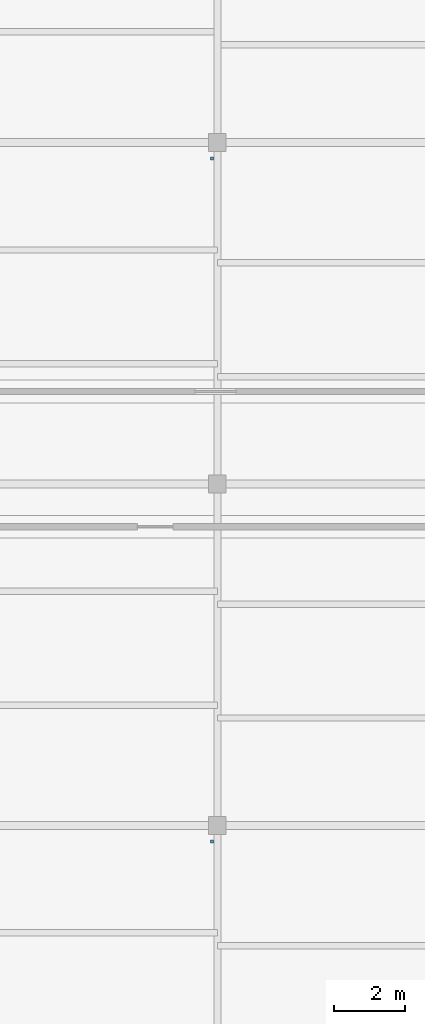
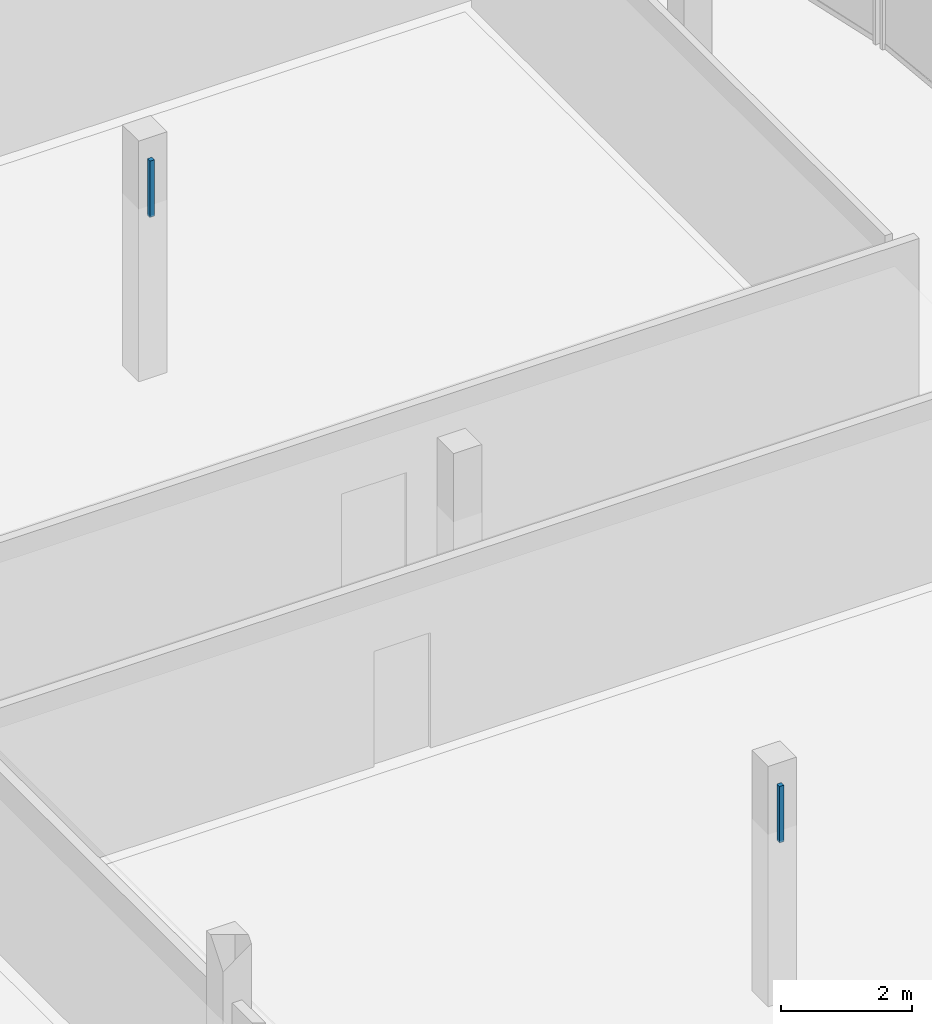
# One storey, part 109 of 114: 2 discrete accessories.
"""IFC4 building model written with IfcOpenShell, lengths in metres."""

from ifc_helpers import new_model, si_unit, direction, frame, origin, origin_2d, place, context, subcontext, project, spatial, rectangle, extrude, material, type_object, element, save


model = new_model("IFC4")

# Units and contexts
model_context = context("Model", 3, precision=1e-05, world=origin(), true_north=direction((0.0, 1.0)))
body_context = subcontext(model_context, "Body", "Model", "MODEL_VIEW")
ifc_project = project(units=[si_unit("LENGTHUNIT", "METRE"), si_unit("AREAUNIT", "SQUARE_METRE"), si_unit("VOLUMEUNIT", "CUBIC_METRE"), si_unit("PLANEANGLEUNIT", "RADIAN"), si_unit("MASSUNIT", "GRAM", prefix="KILO")], contexts=[model_context])

# Site, building, storey
site_placement = place(None, origin())
site = spatial("IfcSite", under=ifc_project, at=site_placement, CompositionType="ELEMENT")
building_placement = place(site_placement, origin())
building = spatial("IfcBuilding", under=site, at=building_placement, Name="Chalmorin Arch Market", CompositionType="ELEMENT")
storey_placement = place(building_placement, frame((0.0, 0.0, 9.60009765625)))
storey = spatial("IfcBuildingStorey", under=building, at=storey_placement, Name="L02", CompositionType="ELEMENT", Elevation=9.60009765625)

# Discrete accessories
ifc_material = material(Name="Galvanized Cold-Formed Steel", Category="steel")
discrete_accessory_type = type_object("IfcDiscreteAccessoryType", Name="CeilingSuspensionBracket-80x80", PredefinedType="BRACKET", material=ifc_material)
for number, where, z_axis, x_axis, name in (
    (1, (105.449951171875, 81.14990234375, 3.20263671875), (0.0, 0.0, 1.0), (1.0, 0.0, 0.0), "CSB-233"),
    (2, (105.449951171875, 100.35009765625, 3.20263671875), (0.0, 0.0, 1.0), (1.0, 0.0, 0.0), "CSB-241"),
):
    element("IfcDiscreteAccessory", number, at=place(storey_placement, frame(where, z_axis=z_axis, x_axis=x_axis)), inside=storey, type_object=discrete_accessory_type, Name=name, PredefinedType="BRACKET", context=body_context, shape_type="SweptSolid", body=[
        extrude(rectangle(XDim=0.080078125, YDim=0.080078125, at=origin_2d()), origin(), (0.0, 0.0, 1.0), 1.047119140625),
    ])

save(model, "model.ifc")
